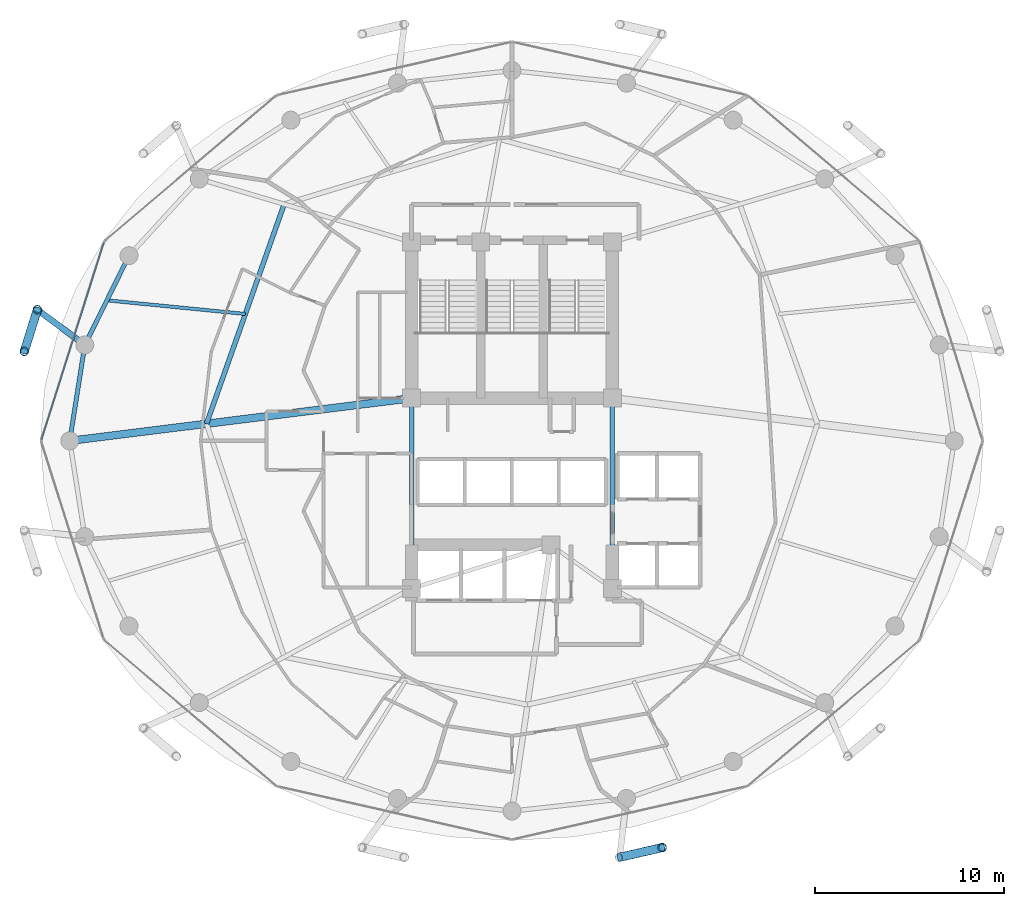
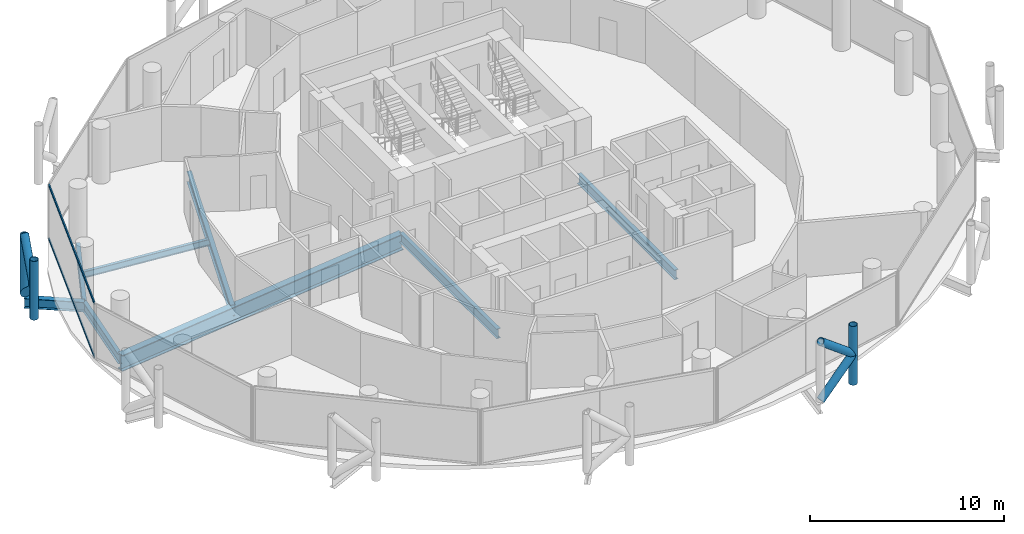
# One storey, part 7 of 26: 9 members, 8 beams, 1 element without a shape of its own.
"""IFC4 building model written with IfcOpenShell, lengths in metres."""

from ifc_helpers import new_model, si_unit, direction, frame, origin, origin_2d, place, context, subcontext, project, spatial, hollow_rectangle, hollow_circle, i_section, extrude, material, layer, layer_set, material_profile, profile_set, type_object, element, aggregate, save


model = new_model("IFC4")

# Units and contexts
model_context = context("Model", 3, precision=1e-05, world=origin(), true_north=direction((0.0, 1.0)))
body_context = subcontext(model_context, "Body", "Model", "MODEL_VIEW")
ifc_project = project(units=[si_unit("LENGTHUNIT", "METRE"), si_unit("AREAUNIT", "SQUARE_METRE"), si_unit("VOLUMEUNIT", "CUBIC_METRE"), si_unit("PLANEANGLEUNIT", "RADIAN"), si_unit("MASSUNIT", "GRAM", prefix="KILO")], contexts=[model_context])

# Site, building, storey
site_placement = place(None, origin())
site = spatial("IfcSite", under=ifc_project, at=site_placement, CompositionType="ELEMENT")
building_placement = place(site_placement, origin())
building = spatial("IfcBuilding", under=site, at=building_placement, Name="Nuhasar Tower", CompositionType="ELEMENT")
storey_placement = place(building_placement, frame((0.0, 0.0, 144.14990234375)))
storey = spatial("IfcBuildingStorey", under=building, at=storey_placement, Name="L34", CompositionType="ELEMENT", Elevation=144.14990234375)

# Beams
ifc_material_1 = material(Name="Steel S355", Category="steel")
ifc_material_profile_1 = material_profile(ifc_material_1, i_section(OverallWidth=0.25390625, OverallDepth=0.68408203125, WebThickness=0.012451171875, FlangeThickness=0.018798828125, at=origin_2d()), Name="W27X94")
ifc_profile_set_1 = profile_set([ifc_material_profile_1], Name="Steel S355")
beam_type_1 = type_object("IfcBeamType", Name="BM-INRING-W27X94", PredefinedType="BEAM", material=ifc_profile_set_1)
beam_1_placement = place(storey_placement, frame((26.972900390625, 39.2939453125, -0.591796875), z_axis=(-0.333599821096, -0.942714781556, 0.0), x_axis=(0.942714781556, -0.333599821096, 0.0)))
element("IfcBeam", 1, at=beam_1_placement, inside=storey, type_object=beam_type_1, Name="L34 Inner Header Beam 07", PredefinedType="BEAM", context=body_context, shape_type="SweptSolid", body=[
    extrude(i_section(OverallWidth=0.25390625, OverallDepth=0.68408203125, WebThickness=0.012451171875, FlangeThickness=0.018798828125, at=origin_2d()), origin(), (0.0, 0.0, 1.0), 12.298583984375),
])
ifc_material_profile_2 = material_profile(ifc_material_1, i_section(OverallWidth=0.177978515625, OverallDepth=0.406005859375, WebThickness=0.0078125, FlangeThickness=0.0126953125, at=origin_2d()), Name="W16X40")
ifc_profile_set_2 = profile_set([ifc_material_profile_2], Name="Steel S355")
beam_type_2 = type_object("IfcBeamType", Name="BM-JST-W16X40", PredefinedType="JOIST", material=ifc_profile_set_2)
beam_2_placement = place(storey_placement, frame((24.922119140625, 33.4970703125, -0.452880859375), z_axis=(-0.995171845755, 0.098147834497, 0.0), x_axis=(-0.098147834497, -0.995171845755, 0.0)))
element("IfcBeam", 2, at=beam_2_placement, inside=storey, type_object=beam_type_2, Name="L34 Secondary Floor Joist 07", PredefinedType="JOIST", context=body_context, shape_type="SweptSolid", body=[
    extrude(i_section(OverallWidth=0.177978515625, OverallDepth=0.406005859375, WebThickness=0.0078125, FlangeThickness=0.0126953125, at=origin_2d()), origin(), (0.0, 0.0, 1.0), 7.345458984375),
])
ifc_material_profile_3 = material_profile(ifc_material_1, i_section(OverallWidth=0.22900390625, OverallDepth=0.612060546875, WebThickness=0.011962890625, FlangeThickness=0.01953125, at=origin_2d()), Name="W24X84")
ifc_profile_set_3 = profile_set([ifc_material_profile_3], Name="Steel S355")
beam_type_3 = type_object("IfcBeamType", Name="BM-RAD-W24X84", PredefinedType="BEAM", material=ifc_profile_set_3)
for number, where, z_axis, x_axis, name in (
    (3, (44.300048828125, 19.0, -0.555908203125), (0.0, 1.0, 0.0), (-1.0, 0.0, 0.0), "L34 Core Ring Girder 3"),
    (4, (33.699951171875, 29.050048828125, -0.555908203125), (0.0, -1.0, 0.0), (1.0, 0.0, 0.0), "L34 Core Ring Girder 8"),
):
    element("IfcBeam", number, at=place(storey_placement, frame(where, z_axis=z_axis, x_axis=x_axis)), inside=storey, type_object=beam_type_3, Name=name, PredefinedType="BEAM", context=body_context, shape_type="SweptSolid", body=[
        extrude(i_section(OverallWidth=0.22900390625, OverallDepth=0.612060546875, WebThickness=0.011962890625, FlangeThickness=0.01953125, at=origin_2d()), origin(), (0.0, 0.0, 1.0), 10.050048828125),
    ])
ifc_material_profile_4 = material_profile(ifc_material_1, i_section(OverallWidth=0.22998046875, OverallDepth=0.616943359375, WebThickness=0.01318359375, FlangeThickness=0.022216796875, at=origin_2d()), Name="W24X94")
ifc_profile_set_4 = profile_set([ifc_material_profile_4], Name="Steel S355")
beam_type_4 = type_object("IfcBeamType", Name="BM-RING-W24X94", PredefinedType="SPANDREL", material=ifc_profile_set_4)
beam_3_placement = place(storey_placement, frame((18.778076171875, 36.574951171875, -0.558837890625), z_axis=(-0.443347771709, -0.896349682501, 0.0), x_axis=(0.896349682501, -0.443347771709, 0.0)))
element("IfcBeam", 5, at=beam_3_placement, inside=storey, type_object=beam_type_4, Name="L34 Perimeter Ring Spandrel 11", PredefinedType="SPANDREL", context=body_context, shape_type="SweptSolid", body=[
    extrude(i_section(OverallWidth=0.22998046875, OverallDepth=0.616943359375, WebThickness=0.01318359375, FlangeThickness=0.022216796875, at=origin_2d()), origin(), (0.0, 0.0, 1.0), 5.260009765625),
])
beam_4_placement = place(storey_placement, frame((16.446044921875, 31.860107421875, -0.558837890625), z_axis=(-0.155426543608, -0.987847452566, 0.0), x_axis=(0.987847452566, -0.155426543608, 0.0)))
element("IfcBeam", 6, at=beam_4_placement, inside=storey, type_object=beam_type_4, Name="L34 Perimeter Ring Spandrel 12", PredefinedType="SPANDREL", context=body_context, shape_type="SweptSolid", body=[
    extrude(i_section(OverallWidth=0.22998046875, OverallDepth=0.616943359375, WebThickness=0.01318359375, FlangeThickness=0.022216796875, at=origin_2d()), origin(), (0.0, 0.0, 1.0), 5.122314453125),
])
ifc_material_profile_5 = material_profile(ifc_material_1, i_section(OverallWidth=0.323974609375, OverallDepth=0.611083984375, WebThickness=0.0126953125, FlangeThickness=0.01904296875, at=origin_2d()), Name="W24X104")
ifc_profile_set_5 = profile_set([ifc_material_profile_5], Name="Steel S355")
beam_type_5 = type_object("IfcBeamType", Name="BM-TIE-W24X104", PredefinedType="BEAM", material=ifc_profile_set_5)
beam_5_placement = place(storey_placement, frame((16.446044921875, 31.860107421875, -0.554931640625), z_axis=(-0.802872198291, 0.596151183183, 0.0), x_axis=(-0.596151183183, -0.802872198291, 0.0)))
element("IfcBeam", 7, at=beam_5_placement, inside=storey, type_object=beam_type_5, Name="L34 Exoskeleton Node Tie Beam 06", PredefinedType="BEAM", context=body_context, shape_type="SweptSolid", body=[
    extrude(i_section(OverallWidth=0.323974609375, OverallDepth=0.611083984375, WebThickness=0.0126953125, FlangeThickness=0.01904296875, at=origin_2d()), origin(), (0.0, 0.0, 1.0), 3.121337890625),
])
ifc_material_2 = material(Name="Steel S460", Category="steel")
ifc_material_profile_6 = material_profile(ifc_material_2, i_section(OverallWidth=0.40087890625, OverallDepth=1.010009765625, WebThickness=0.023681640625, FlangeThickness=0.0419921875, at=origin_2d()), Name="W40X297")
ifc_profile_set_6 = profile_set([ifc_material_profile_6], Name="Steel S460")
beam_type_6 = type_object("IfcBeamType", Name="BM-XFER-W40X297", PredefinedType="USERDEFINED", material=ifc_profile_set_6)
beam_6_placement = place(storey_placement, frame((33.699951171875, 29.050048828125, -0.7548828125), z_axis=(-0.992320149485, -0.123696082908, 0.0), x_axis=(0.123696082908, -0.992320149485, 0.0)))
element("IfcBeam", 8, at=beam_6_placement, inside=storey, type_object=beam_type_6, Name="L34 Radial Floor Girder 08", ObjectType="GIRDER", PredefinedType="USERDEFINED", context=body_context, shape_type="SweptSolid", body=[
    extrude(i_section(OverallWidth=0.40087890625, OverallDepth=1.010009765625, WebThickness=0.023681640625, FlangeThickness=0.0419921875, at=origin_2d()), origin(), (0.0, 0.0, 1.0), 18.189697265625),
])

# Curtain wall, members
ifc_material_3 = material(Name="Aluminium 6063-T6", Category="aluminium")
ifc_layer = layer(ifc_material_3, 0.199951171875)
ifc_layer_set = layer_set([ifc_layer], Name="Aluminium 6063-T6")
curtain_wall_type = type_object("IfcCurtainWallType", Name="CW-Z2-HTL", PredefinedType="NOTDEFINED", material=ifc_layer_set)
curtain_wall_placement = place(storey_placement, origin())
curtain_wall = element("IfcCurtainWall", 9, at=curtain_wall_placement, inside=storey, type_object=curtain_wall_type, Name="L34 Unitised Curtain Wall 06", PredefinedType="NOTDEFINED")
ifc_material_profile_7 = material_profile(ifc_material_3, hollow_rectangle(XDim=0.070068359375, YDim=0.159912109375, WallThickness=0.00439453125, at=origin_2d()), Name="CWT-3")
ifc_profile_set_7 = profile_set([ifc_material_profile_7], Name="Aluminium 6063-T6")
member_type_1 = type_object("IfcMemberType", Name="CW-TRN-S3", PredefinedType="USERDEFINED", material=ifc_profile_set_7)
member_1_placement = place(storey_placement, frame((17.449951171875, 37.26318359375, 0.03515625), z_axis=(-0.301608163352, -0.953431967053, 0.0), x_axis=(0.953431967053, -0.301608163352, 0.0)))
member_1 = element("IfcMember", 10, at=member_1_placement, type_object=member_type_1, Name="CW-Z2 transom 1.1", ObjectType="TRANSOM", PredefinedType="USERDEFINED", context=body_context, shape_type="SweptSolid", body=[
    extrude(hollow_rectangle(XDim=0.070068359375, YDim=0.159912109375, WallThickness=0.00439453125, at=origin_2d()), origin(), (0.0, 0.0, 1.0), 10.904296875),
])
member_2_placement = place(storey_placement, frame((17.449951171875, 37.26318359375, 3.4150390625), z_axis=(-0.301608163352, -0.953431967053, 0.0), x_axis=(0.953431967053, -0.301608163352, 0.0)))
member_2 = element("IfcMember", 11, at=member_2_placement, type_object=member_type_1, Name="CW-Z2 transom 1.2", ObjectType="TRANSOM", PredefinedType="USERDEFINED", context=body_context, shape_type="SweptSolid", body=[
    extrude(hollow_rectangle(XDim=0.070068359375, YDim=0.159912109375, WallThickness=0.00439453125, at=origin_2d()), origin(), (0.0, 0.0, 1.0), 10.904296875),
])
aggregate(curtain_wall, [member_1, member_2])

# Members
ifc_material_profile_8 = material_profile(ifc_material_2, hollow_circle(Radius=0.228515625, WallThickness=0.022216796875, at=origin_2d()), Name="HSS457X22.2")
ifc_profile_set_8 = profile_set([ifc_material_profile_8], Name="Steel S460")
member_type_2 = type_object("IfcMemberType", Name="EXO-BRONZE-457", PredefinedType="BRACE", material=ifc_profile_set_8)
for number, where, z_axis, x_axis, name in (
    (12, (13.93994140625, 33.720947265625, 0.0), (0.0, 0.0, 1.0), (1.0, 0.0, 0.0), "L34 Exoskeleton Chord Column EC-06A"),
    (13, (13.251953125, 31.52587890625, 0.0), (0.0, 0.0, 1.0), (1.0, 0.0, 0.0), "L34 Exoskeleton Chord Column EC-06B"),
    (14, (46.927978515625, 5.323974609375, 0.0), (0.0, 0.0, 1.0), (1.0, 0.0, 0.0), "L34 Exoskeleton Chord Column EC-10B"),
):
    element("IfcMember", number, at=place(storey_placement, frame(where, z_axis=z_axis, x_axis=x_axis)), inside=storey, type_object=member_type_2, Name=name, PredefinedType="BRACE", context=body_context, shape_type="SweptSolid", body=[
        extrude(hollow_circle(Radius=0.228515625, WallThickness=0.022216796875, at=origin_2d()), origin(), (0.0, 0.0, 1.0), 3.7001953125),
    ])
for number, where, z_axis, x_axis, name in (
    (15, (13.93994140625, 33.720947265625, 0.0), (-0.233055548538, -0.743577869731, 0.626719285599), (0.954228474306, -0.29907861646, 0.0), "L34 Bronze Diagrid Brace W1-06"),
    (16, (13.251953125, 31.52587890625, 1.85009765625), (0.233055548538, 0.743577869731, 0.626719285599), (-0.954228474306, 0.29907861646, 0.0), "L34 Bronze Diagrid Brace W2-06"),
):
    element("IfcMember", number, at=place(storey_placement, frame(where, z_axis=z_axis, x_axis=x_axis)), inside=storey, type_object=member_type_2, Name=name, PredefinedType="BRACE", context=body_context, shape_type="SweptSolid", body=[
        extrude(hollow_circle(Radius=0.228515625, WallThickness=0.022216796875, at=origin_2d()), origin(), (0.0, 0.0, 1.0), 2.9521484375),
    ])
for number, where, z_axis, x_axis, name in (
    (17, (44.68603515625, 4.81005859375, 0.0), (0.759510488094, 0.174101010284, 0.626763637022), (-0.223432882746, 0.974719316987, 0.0), "L34 Bronze Diagrid Brace W1-10"),
    (18, (46.927978515625, 5.323974609375, 1.85009765625), (-0.759510488094, -0.174101010284, 0.626763637022), (0.223432882746, -0.974719316987, 0.0), "L34 Bronze Diagrid Brace W2-10"),
):
    element("IfcMember", number, at=place(storey_placement, frame(where, z_axis=z_axis, x_axis=x_axis)), inside=storey, type_object=member_type_2, Name=name, PredefinedType="BRACE", context=body_context, shape_type="SweptSolid", body=[
        extrude(hollow_circle(Radius=0.228515625, WallThickness=0.022216796875, at=origin_2d()), origin(), (0.0, 0.0, 1.0), 2.951904296875),
    ])

save(model, "model.ifc")
